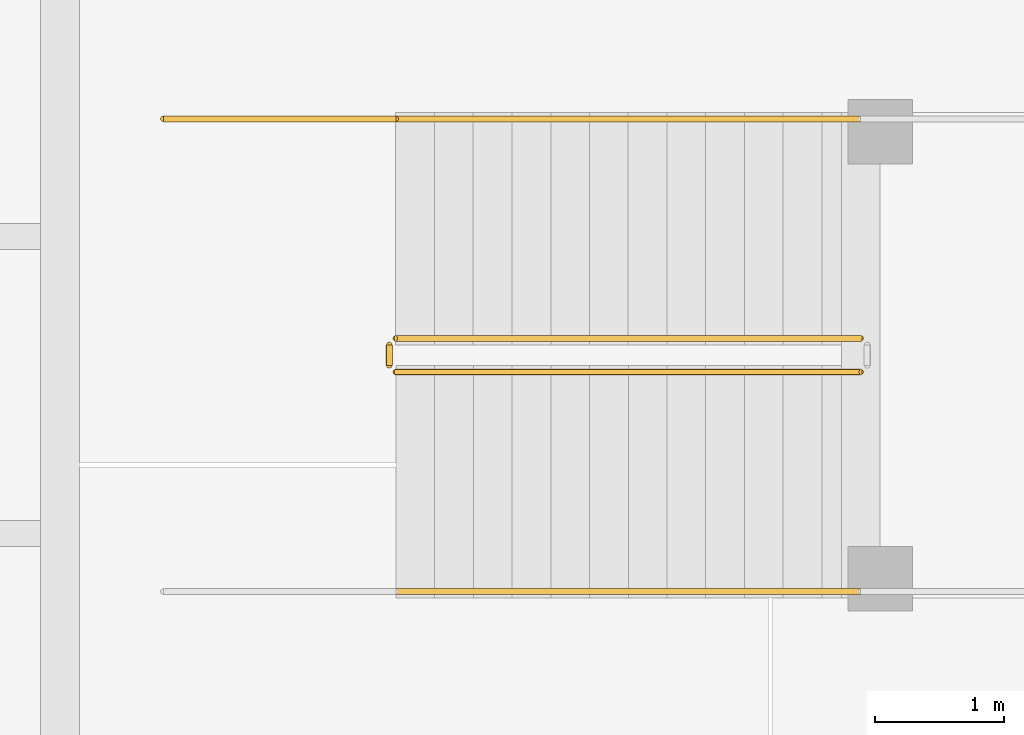
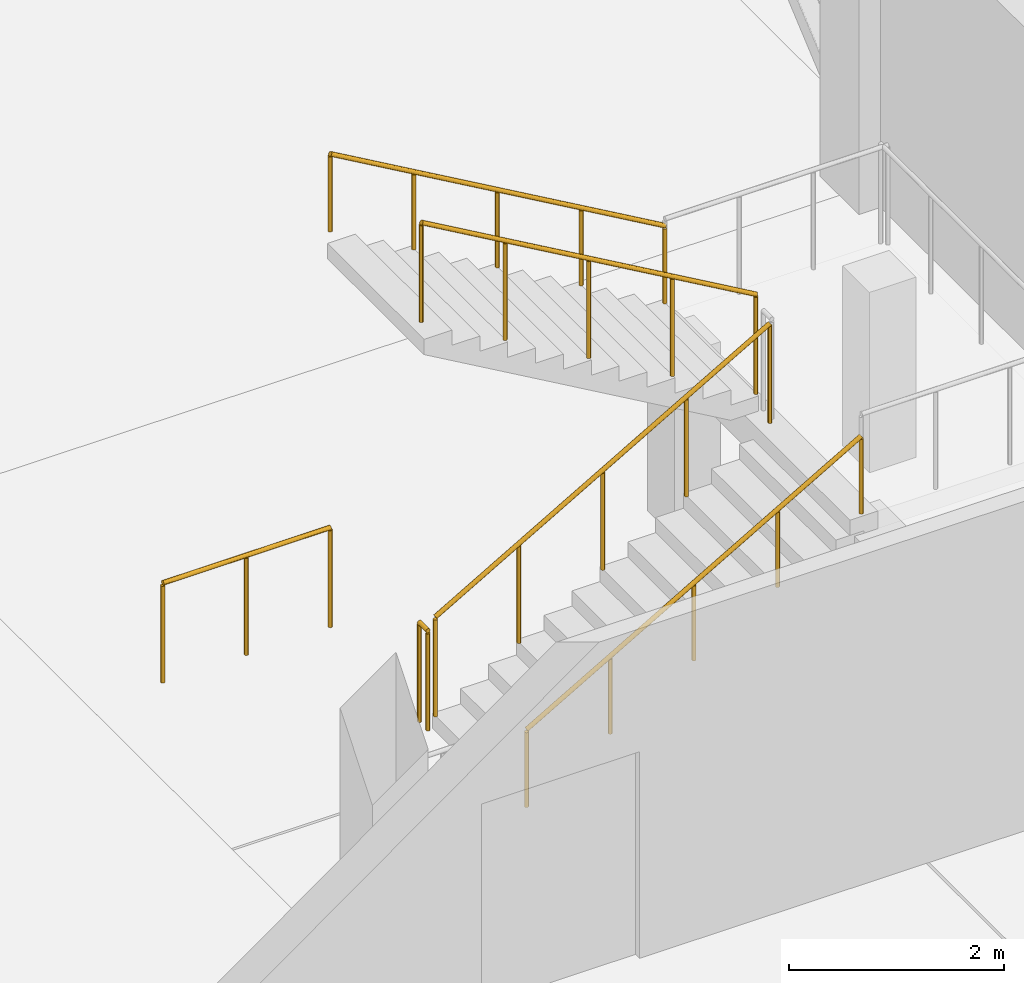
# One storey, part 148 of 156: 6 railings.
"""IFC4 building model written with IfcOpenShell, lengths in metres."""

from ifc_helpers import new_model, si_unit, direction, frame, origin, origin_2d, place, context, subcontext, project, spatial, circle, extrude, material, type_object, element, save


model = new_model("IFC4")

# Units and contexts
model_context = context("Model", 3, precision=1e-05, world=origin(), true_north=direction((0.0, 1.0)))
body_context = subcontext(model_context, "Body", "Model", "MODEL_VIEW")
ifc_project = project(units=[si_unit("LENGTHUNIT", "METRE"), si_unit("AREAUNIT", "SQUARE_METRE"), si_unit("VOLUMEUNIT", "CUBIC_METRE"), si_unit("PLANEANGLEUNIT", "RADIAN"), si_unit("MASSUNIT", "GRAM", prefix="KILO")], contexts=[model_context])

# Site, building, storey
site_placement = place(None, origin())
site = spatial("IfcSite", under=ifc_project, at=site_placement, CompositionType="ELEMENT")
building_placement = place(site_placement, origin())
building = spatial("IfcBuilding", under=site, at=building_placement, Name="Caurita Quay Ferry Terminal", CompositionType="ELEMENT")
storey_placement = place(building_placement, frame((0.0, 0.0, 5.39990234375)))
storey = spatial("IfcBuildingStorey", under=building, at=storey_placement, Name="L01", CompositionType="ELEMENT", Elevation=5.39990234375)

# Railings
ifc_material = material(Name="Bronze architectural metalwork", Category="metal")
railing_type_1 = type_object("IfcRailingType", Name="RL-HND-090", PredefinedType="HANDRAIL", material=ifc_material)
railing_1_placement = place(storey_placement, frame((123.800048828125, 82.050048828125, 0.173095703125)))
element("IfcRailing", 1, at=railing_1_placement, inside=storey, type_object=railing_type_1, Name="L01 ST-13 stair handrail 1", PredefinedType="HANDRAIL", context=body_context, shape_type="SweptSolid", body=[
    extrude(circle(Radius=0.02392578125, at=origin_2d()), frame((0.0, 0.0, 0.8759765625), z_axis=(0.866178740119, 0.0, 0.499734319579), x_axis=(0.0, 1.0, 0.0)), (0.0, 0.0, 1.0), 4.156005859375),
    extrude(circle(Radius=0.02099609375, at=origin_2d()), origin(), (0.0, 0.0, 1.0), 0.851806640625),
    extrude(circle(Radius=0.02099609375, at=origin_2d()), frame((0.89990234375, 0.0, 0.519287109375)), (0.0, 0.0, 1.0), 0.851806640625),
    extrude(circle(Radius=0.02099609375, at=origin_2d()), frame((1.7998046875, 0.0, 1.03857421875)), (0.0, 0.0, 1.0), 0.851806640625),
    extrude(circle(Radius=0.02099609375, at=origin_2d()), frame((2.699951171875, 0.0, 1.5576171875)), (0.0, 0.0, 1.0), 0.851806640625),
    extrude(circle(Radius=0.02099609375, at=origin_2d()), frame((3.599853515625, 0.0, 2.076904296875)), (0.0, 0.0, 1.0), 0.851806640625),
])
railing_2_placement = place(storey_placement, frame((127.39990234375, 85.7099609375, 2.423095703125)))
element("IfcRailing", 2, at=railing_2_placement, inside=storey, type_object=railing_type_1, Name="L01 ST-13 stair handrail 2", PredefinedType="HANDRAIL", context=body_context, shape_type="SweptSolid", body=[
    extrude(circle(Radius=0.02392578125, at=origin_2d()), frame((0.0, 0.0, 0.8759765625), z_axis=(-0.866178740119, 0.0, 0.499734319579), x_axis=(0.0, -1.0, 0.0)), (0.0, 0.0, 1.0), 4.156005859375),
    extrude(circle(Radius=0.02099609375, at=origin_2d()), origin(), (0.0, 0.0, 1.0), 0.851806640625),
    extrude(circle(Radius=0.02099609375, at=origin_2d()), frame((-0.89990234375, 0.0, 0.519287109375)), (0.0, 0.0, 1.0), 0.851806640625),
    extrude(circle(Radius=0.02099609375, at=origin_2d()), frame((-1.7998046875, 0.0, 1.03857421875)), (0.0, 0.0, 1.0), 0.851806640625),
    extrude(circle(Radius=0.02099609375, at=origin_2d()), frame((-2.699951171875, 0.0, 1.5576171875)), (0.0, 0.0, 1.0), 0.851806640625),
    extrude(circle(Radius=0.02099609375, at=origin_2d()), frame((-3.599853515625, 0.0, 2.076904296875)), (0.0, 0.0, 1.0), 0.851806640625),
])
railing_type_2 = type_object("IfcRailingType", Name="RL-REJA-115", PredefinedType="BALUSTRADE", material=ifc_material)
railing_3_placement = place(storey_placement, frame((123.800048828125, 83.75, 0.173095703125)))
element("IfcRailing", 3, at=railing_3_placement, inside=storey, type_object=railing_type_2, Name="L01 ST-13 stair guard 1", PredefinedType="BALUSTRADE", context=body_context, shape_type="SweptSolid", body=[
    extrude(circle(Radius=0.02392578125, at=origin_2d()), frame((0.0, 0.0, 1.1259765625), z_axis=(0.866178740119, 0.0, 0.499734319579), x_axis=(0.0, 1.0, 0.0)), (0.0, 0.0, 1.0), 4.156005859375),
    extrude(circle(Radius=0.02099609375, at=origin_2d()), origin(), (0.0, 0.0, 1.0), 1.101806640625),
    extrude(circle(Radius=0.02099609375, at=origin_2d()), frame((0.89990234375, 0.0, 0.519287109375)), (0.0, 0.0, 1.0), 1.101806640625),
    extrude(circle(Radius=0.02099609375, at=origin_2d()), frame((1.7998046875, 0.0, 1.03857421875)), (0.0, 0.0, 1.0), 1.101806640625),
    extrude(circle(Radius=0.02099609375, at=origin_2d()), frame((2.699951171875, 0.0, 1.5576171875)), (0.0, 0.0, 1.0), 1.101806640625),
    extrude(circle(Radius=0.02099609375, at=origin_2d()), frame((3.599853515625, 0.0, 2.076904296875)), (0.0, 0.0, 1.0), 1.101806640625),
])
railing_4_placement = place(storey_placement, frame((127.39990234375, 84.010009765625, 2.423095703125)))
element("IfcRailing", 4, at=railing_4_placement, inside=storey, type_object=railing_type_2, Name="L01 ST-13 stair guard 6", PredefinedType="BALUSTRADE", context=body_context, shape_type="SweptSolid", body=[
    extrude(circle(Radius=0.02392578125, at=origin_2d()), frame((0.0, 0.0, 1.1259765625), z_axis=(-0.866178740119, 0.0, 0.499734319579), x_axis=(0.0, -1.0, 0.0)), (0.0, 0.0, 1.0), 4.156005859375),
    extrude(circle(Radius=0.02099609375, at=origin_2d()), origin(), (0.0, 0.0, 1.0), 1.101806640625),
    extrude(circle(Radius=0.02099609375, at=origin_2d()), frame((-0.89990234375, 0.0, 0.519287109375)), (0.0, 0.0, 1.0), 1.101806640625),
    extrude(circle(Radius=0.02099609375, at=origin_2d()), frame((-1.7998046875, 0.0, 1.03857421875)), (0.0, 0.0, 1.0), 1.101806640625),
    extrude(circle(Radius=0.02099609375, at=origin_2d()), frame((-2.699951171875, 0.0, 1.5576171875)), (0.0, 0.0, 1.0), 1.101806640625),
    extrude(circle(Radius=0.02099609375, at=origin_2d()), frame((-3.599853515625, 0.0, 2.076904296875)), (0.0, 0.0, 1.0), 1.101806640625),
])
railing_5_placement = place(storey_placement, frame((123.75, 83.800048828125, 0.0)))
element("IfcRailing", 5, at=railing_5_placement, inside=storey, type_object=railing_type_2, Name="L01 ST-13 stair guard 7", PredefinedType="BALUSTRADE", context=body_context, shape_type="SweptSolid", body=[
    extrude(circle(Radius=0.02392578125, at=origin_2d()), frame((0.0, 0.0, 1.1259765625), z_axis=(0.0, 1.0, 0.0), x_axis=(-1.0, 0.0, 0.0)), (0.0, 0.0, 1.0), 0.159912109375),
    extrude(circle(Radius=0.02099609375, at=origin_2d()), origin(), (0.0, 0.0, 1.0), 1.101806640625),
    extrude(circle(Radius=0.02099609375, at=origin_2d()), frame((0.0, 0.159912109375, 0.0)), (0.0, 0.0, 1.0), 1.101806640625),
])
railing_6_placement = place(storey_placement, frame((122.0, 85.7099609375, 0.0)))
element("IfcRailing", 6, at=railing_6_placement, inside=storey, type_object=railing_type_2, Name="L01 ST-13 stair guard 9", PredefinedType="BALUSTRADE", context=body_context, shape_type="SweptSolid", body=[
    extrude(circle(Radius=0.02392578125, at=origin_2d()), frame((0.0, 0.0, 1.1259765625), z_axis=(1.0, 0.0, 0.0), x_axis=(0.0, 1.0, 0.0)), (0.0, 0.0, 1.0), 1.800048828125),
    extrude(circle(Radius=0.02099609375, at=origin_2d()), origin(), (0.0, 0.0, 1.0), 1.101806640625),
    extrude(circle(Radius=0.02099609375, at=origin_2d()), frame((0.89990234375, 0.0, 0.0)), (0.0, 0.0, 1.0), 1.101806640625),
    extrude(circle(Radius=0.02099609375, at=origin_2d()), frame((1.800048828125, 0.0, 0.0)), (0.0, 0.0, 1.0), 1.101806640625),
])

save(model, "model.ifc")
